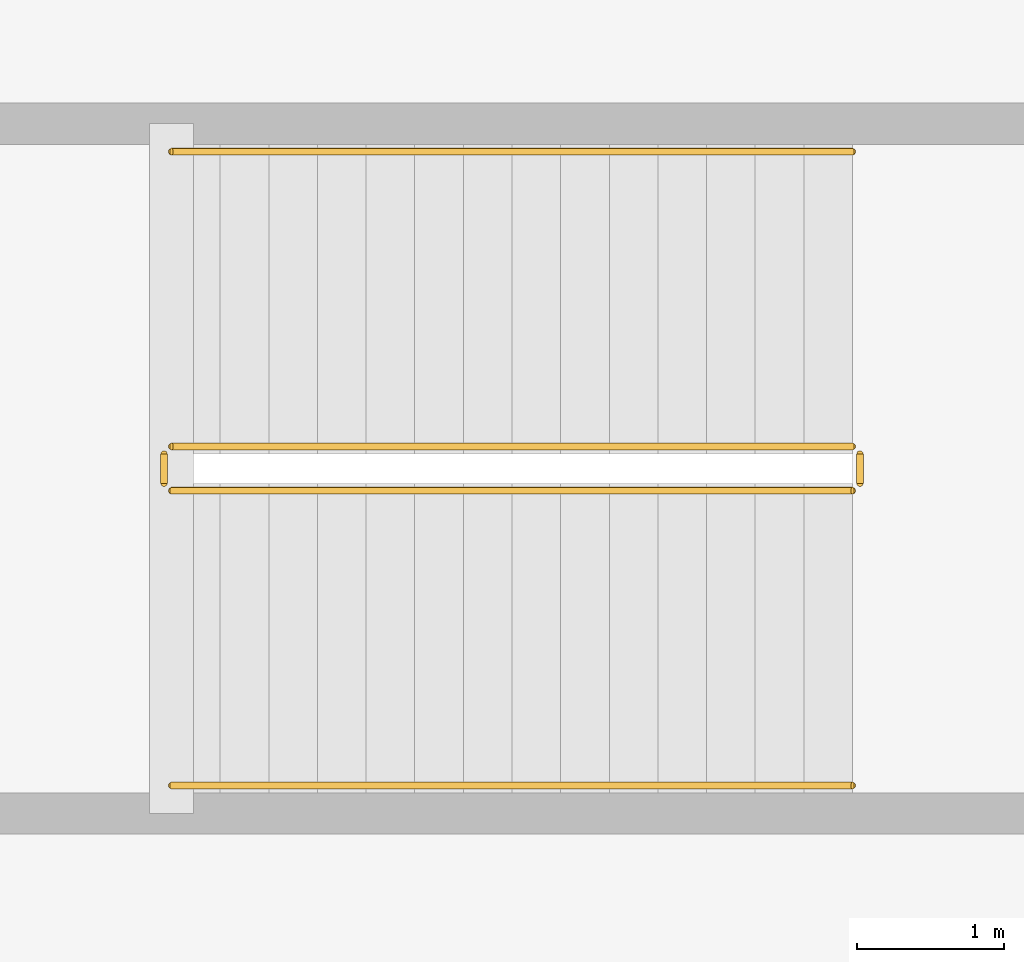
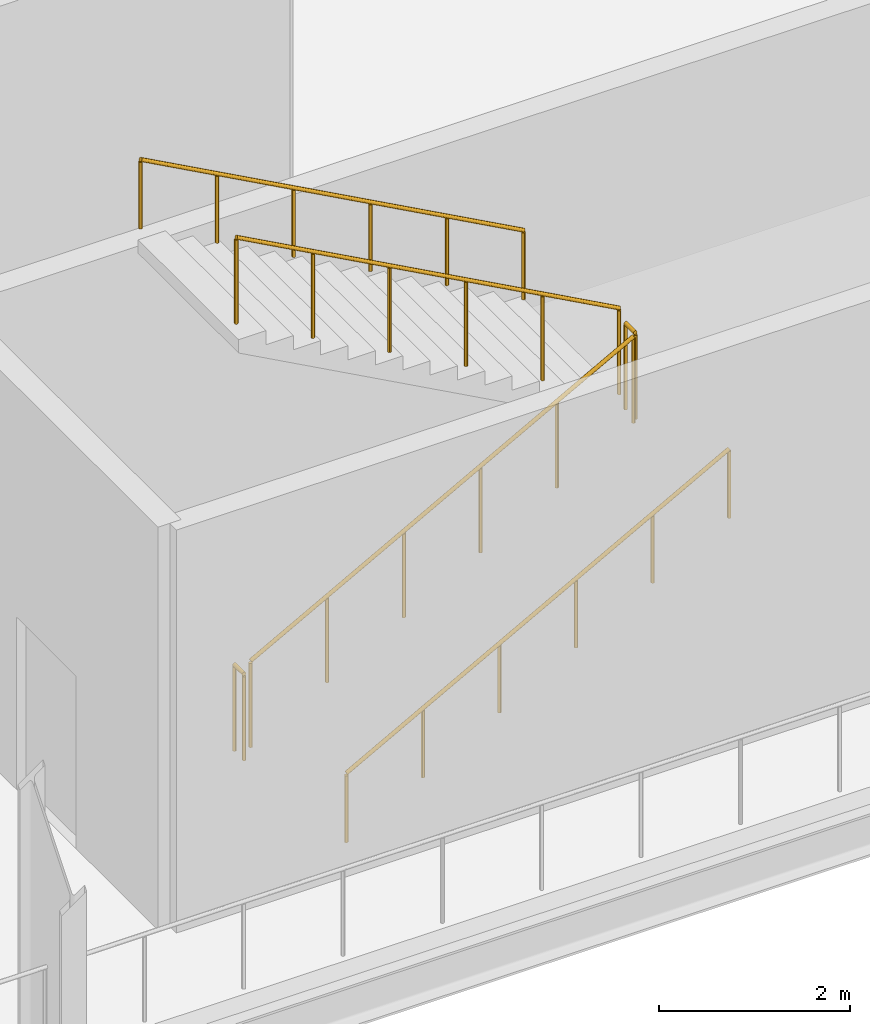
# One storey, part 83 of 84: 6 railings.
"""IFC4 building model written with IfcOpenShell, lengths in metres."""

from ifc_helpers import new_model, si_unit, direction, frame, origin, origin_2d, place, context, subcontext, project, spatial, circle, extrude, material, type_object, element, save


model = new_model("IFC4")

# Units and contexts
model_context = context("Model", 3, precision=1e-05, world=origin(), true_north=direction((0.0, 1.0)))
body_context = subcontext(model_context, "Body", "Model", "MODEL_VIEW")
ifc_project = project(units=[si_unit("LENGTHUNIT", "METRE"), si_unit("AREAUNIT", "SQUARE_METRE"), si_unit("VOLUMEUNIT", "CUBIC_METRE"), si_unit("PLANEANGLEUNIT", "RADIAN"), si_unit("MASSUNIT", "GRAM", prefix="KILO")], contexts=[model_context])

# Site, building, storey
site_placement = place(None, origin())
site = spatial("IfcSite", under=ifc_project, at=site_placement, CompositionType="ELEMENT")
building_placement = place(site_placement, origin())
building = spatial("IfcBuilding", under=site, at=building_placement, Name="Kimbaza Rail Terminus", CompositionType="ELEMENT")
storey_placement = place(building_placement, frame((0.0, 0.0, 5.39990234375)))
storey = spatial("IfcBuildingStorey", under=building, at=storey_placement, Name="L01", CompositionType="ELEMENT", Elevation=5.39990234375)

# Railings
ifc_material_1 = material(Name="Brushed stainless steel handrail", Category="steel")
railing_type_1 = type_object("IfcRailingType", Name="ARC-RL-HND92", PredefinedType="HANDRAIL", material=ifc_material_1)
railing_1_placement = place(storey_placement, frame((143.699951171875, 81.85009765625, 0.18017578125)))
element("IfcRailing", 1, at=railing_1_placement, inside=storey, type_object=railing_type_1, Name="L01 ST-C2 stair handrail 1", PredefinedType="HANDRAIL", context=body_context, shape_type="SweptSolid", body=[
    extrude(circle(Radius=0.02392578125, at=origin_2d()), frame((0.0, 0.0, 0.8759765625), z_axis=(0.877899118682, 0.0, 0.478845630049), x_axis=(0.0, 1.0, 0.0)), (0.0, 0.0, 1.0), 5.2626953125),
    extrude(circle(Radius=0.02099609375, at=origin_2d()), origin(), (0.0, 0.0, 1.0), 0.851806640625),
    extrude(circle(Radius=0.02099609375, at=origin_2d()), frame((0.924072265625, 0.0, 0.50390625)), (0.0, 0.0, 1.0), 0.851806640625),
    extrude(circle(Radius=0.02099609375, at=origin_2d()), frame((1.84814453125, 0.0, 1.008056640625)), (0.0, 0.0, 1.0), 0.851806640625),
    extrude(circle(Radius=0.02099609375, at=origin_2d()), frame((2.77197265625, 0.0, 1.511962890625)), (0.0, 0.0, 1.0), 0.851806640625),
    extrude(circle(Radius=0.02099609375, at=origin_2d()), frame((3.696044921875, 0.0, 2.01611328125)), (0.0, 0.0, 1.0), 0.851806640625),
    extrude(circle(Radius=0.02099609375, at=origin_2d()), frame((4.6201171875, 0.0, 2.52001953125)), (0.0, 0.0, 1.0), 0.851806640625),
])
railing_2_placement = place(storey_placement, frame((148.320068359375, 86.14990234375, 2.880126953125)))
element("IfcRailing", 2, at=railing_2_placement, inside=storey, type_object=railing_type_1, Name="L01 ST-C2 stair handrail 2", PredefinedType="HANDRAIL", context=body_context, shape_type="SweptSolid", body=[
    extrude(circle(Radius=0.02392578125, at=origin_2d()), frame((0.0, 0.0, 0.8759765625), z_axis=(-0.877899118682, 0.0, 0.478845630049), x_axis=(0.0, -1.0, 0.0)), (0.0, 0.0, 1.0), 5.2626953125),
    extrude(circle(Radius=0.02099609375, at=origin_2d()), origin(), (0.0, 0.0, 1.0), 0.851806640625),
    extrude(circle(Radius=0.02099609375, at=origin_2d()), frame((-0.924072265625, 0.0, 0.50390625)), (0.0, 0.0, 1.0), 0.851806640625),
    extrude(circle(Radius=0.02099609375, at=origin_2d()), frame((-1.84814453125, 0.0, 1.008056640625)), (0.0, 0.0, 1.0), 0.851806640625),
    extrude(circle(Radius=0.02099609375, at=origin_2d()), frame((-2.77197265625, 0.0, 1.511962890625)), (0.0, 0.0, 1.0), 0.851806640625),
    extrude(circle(Radius=0.02099609375, at=origin_2d()), frame((-3.696044921875, 0.0, 2.01611328125)), (0.0, 0.0, 1.0), 0.851806640625),
    extrude(circle(Radius=0.02099609375, at=origin_2d()), frame((-4.6201171875, 0.0, 2.52001953125)), (0.0, 0.0, 1.0), 0.851806640625),
])
ifc_material_2 = material(Name="Painted tubular steel stair well guard", Category="steel")
railing_type_2 = type_object("IfcRailingType", Name="ARC-RL-STGRD", PredefinedType="GUARDRAIL", material=ifc_material_2)
railing_3_placement = place(storey_placement, frame((143.699951171875, 83.85009765625, 0.18017578125)))
element("IfcRailing", 3, at=railing_3_placement, inside=storey, type_object=railing_type_2, Name="L01 ST-C2 stair guard 1", PredefinedType="GUARDRAIL", context=body_context, shape_type="SweptSolid", body=[
    extrude(circle(Radius=0.02392578125, at=origin_2d()), frame((0.0, 0.0, 1.09619140625), z_axis=(0.877899118682, 0.0, 0.478845630049), x_axis=(0.0, 1.0, 0.0)), (0.0, 0.0, 1.0), 5.2626953125),
    extrude(circle(Radius=0.02099609375, at=origin_2d()), origin(), (0.0, 0.0, 1.0), 1.072021484375),
    extrude(circle(Radius=0.02099609375, at=origin_2d()), frame((0.924072265625, 0.0, 0.50390625)), (0.0, 0.0, 1.0), 1.072021484375),
    extrude(circle(Radius=0.02099609375, at=origin_2d()), frame((1.84814453125, 0.0, 1.008056640625)), (0.0, 0.0, 1.0), 1.072021484375),
    extrude(circle(Radius=0.02099609375, at=origin_2d()), frame((2.77197265625, 0.0, 1.511962890625)), (0.0, 0.0, 1.0), 1.072021484375),
    extrude(circle(Radius=0.02099609375, at=origin_2d()), frame((3.696044921875, 0.0, 2.01611328125)), (0.0, 0.0, 1.0), 1.072021484375),
    extrude(circle(Radius=0.02099609375, at=origin_2d()), frame((4.6201171875, 0.0, 2.52001953125)), (0.0, 0.0, 1.0), 1.072021484375),
])
railing_4_placement = place(storey_placement, frame((148.3701171875, 83.89990234375, 2.7001953125)))
element("IfcRailing", 4, at=railing_4_placement, inside=storey, type_object=railing_type_2, Name="L01 ST-C2 stair guard 2", PredefinedType="GUARDRAIL", context=body_context, shape_type="SweptSolid", body=[
    extrude(circle(Radius=0.02392578125, at=origin_2d()), frame((0.0, 0.0, 1.09619140625), z_axis=(0.0, 1.0, 0.0), x_axis=(-1.0, 0.0, 0.0)), (0.0, 0.0, 1.0), 0.2001953125),
    extrude(circle(Radius=0.02099609375, at=origin_2d()), origin(), (0.0, 0.0, 1.0), 1.072021484375),
    extrude(circle(Radius=0.02099609375, at=origin_2d()), frame((0.0, 0.2001953125, 0.0)), (0.0, 0.0, 1.0), 1.072021484375),
])
railing_5_placement = place(storey_placement, frame((148.320068359375, 84.14990234375, 2.880126953125)))
element("IfcRailing", 5, at=railing_5_placement, inside=storey, type_object=railing_type_2, Name="L01 ST-C2 stair guard 3", PredefinedType="GUARDRAIL", context=body_context, shape_type="SweptSolid", body=[
    extrude(circle(Radius=0.02392578125, at=origin_2d()), frame((0.0, 0.0, 1.09619140625), z_axis=(-0.877899118682, 0.0, 0.478845630049), x_axis=(0.0, -1.0, 0.0)), (0.0, 0.0, 1.0), 5.2626953125),
    extrude(circle(Radius=0.02099609375, at=origin_2d()), origin(), (0.0, 0.0, 1.0), 1.072021484375),
    extrude(circle(Radius=0.02099609375, at=origin_2d()), frame((-0.924072265625, 0.0, 0.50390625)), (0.0, 0.0, 1.0), 1.072021484375),
    extrude(circle(Radius=0.02099609375, at=origin_2d()), frame((-1.84814453125, 0.0, 1.008056640625)), (0.0, 0.0, 1.0), 1.072021484375),
    extrude(circle(Radius=0.02099609375, at=origin_2d()), frame((-2.77197265625, 0.0, 1.511962890625)), (0.0, 0.0, 1.0), 1.072021484375),
    extrude(circle(Radius=0.02099609375, at=origin_2d()), frame((-3.696044921875, 0.0, 2.01611328125)), (0.0, 0.0, 1.0), 1.072021484375),
    extrude(circle(Radius=0.02099609375, at=origin_2d()), frame((-4.6201171875, 0.0, 2.52001953125)), (0.0, 0.0, 1.0), 1.072021484375),
])
railing_6_placement = place(storey_placement, frame((143.64990234375, 83.89990234375, 0.0)))
element("IfcRailing", 6, at=railing_6_placement, inside=storey, type_object=railing_type_2, Name="L01 ST-C2 stair guard 4", PredefinedType="GUARDRAIL", context=body_context, shape_type="SweptSolid", body=[
    extrude(circle(Radius=0.02392578125, at=origin_2d()), frame((0.0, 0.0, 1.09619140625), z_axis=(0.0, 1.0, 0.0), x_axis=(-1.0, 0.0, 0.0)), (0.0, 0.0, 1.0), 0.2001953125),
    extrude(circle(Radius=0.02099609375, at=origin_2d()), origin(), (0.0, 0.0, 1.0), 1.072021484375),
    extrude(circle(Radius=0.02099609375, at=origin_2d()), frame((0.0, 0.2001953125, 0.0)), (0.0, 0.0, 1.0), 1.072021484375),
])

save(model, "model.ifc")
